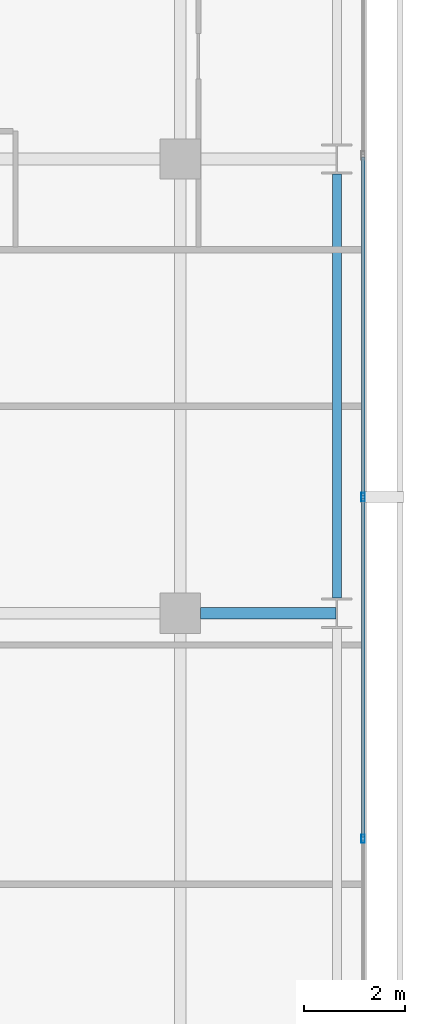
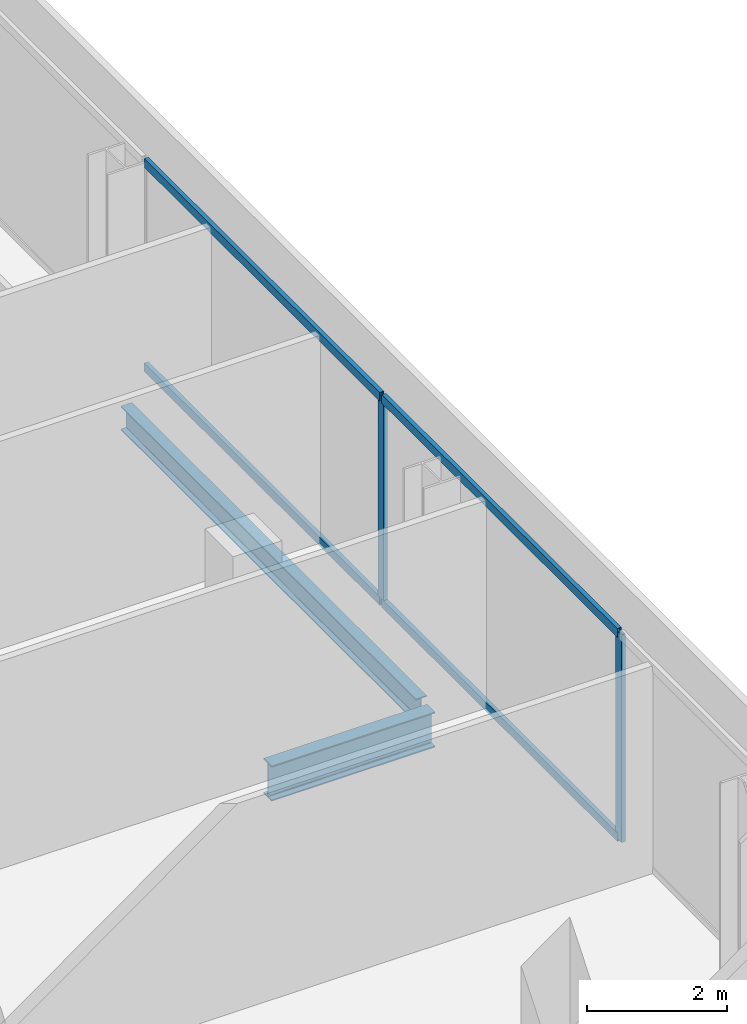
# One storey, part 17 of 33: 6 members, 2 beams, 1 element without a shape of its own.
"""IFC4 building model written with IfcOpenShell, lengths in metres."""

import ifcopenshell
import ifcopenshell.guid

model = None  # the IFC model being written
_history = None  # IfcOwnerHistory: only IFC2X3 demands one
_inside = {}  # id of a spatial element -> (the spatial element, [elements in it])
_under = {}  # id of a project, library or spatial element -> (it, [spatial elements below it])
_declared = {}  # id of a project -> (the project, [libraries it declares])
_typed = {}  # id of a type object -> (the type object, [elements of that type])
_made_of = {}  # id of a material, layer set ... -> (it, [elements and type objects made of it])


def new_model(schema):
    """Start an empty IFC model of exactly this schema.

    Asked for "IFC4X3", IfcOpenShell would pick the latest addendum, in which some entities
    have other attributes; the version numbers below select the first issue.
    IFC2X3 requires an IfcOwnerHistory on every rooted entity: one is made here for all.
    """
    global model, _history
    if schema == "IFC4X3":
        model = ifcopenshell.file(schema_version=(4, 3, 0, 0))
    else:
        model = ifcopenshell.file(schema=schema)
    _inside.clear()
    _under.clear()
    _declared.clear()
    _typed.clear()
    _made_of.clear()
    _history = None
    if model.schema == "IFC2X3":
        org = make("IfcOrganization", Name="unknown")
        user = make(
            "IfcPersonAndOrganization",
            ThePerson=make("IfcPerson", FamilyName="unknown"),
            TheOrganization=org,
        )
        app = make(
            "IfcApplication",
            ApplicationDeveloper=org,
            Version="unknown",
            ApplicationFullName="unknown",
            ApplicationIdentifier="unknown",
        )
        _history = make(
            "IfcOwnerHistory",
            OwningUser=user,
            OwningApplication=app,
            ChangeAction="ADDED",
            CreationDate=0,
        )
    return model


def make(cls, **values):
    """One entity of the class cls with the attributes given. An attribute that is None is left unset."""
    return model.create_entity(
        cls, **{name: value for name, value in values.items() if value is not None}
    )


def rooted(cls, **values):
    """An entity with a GlobalId (a new one), such as an element, a storey or a relation."""
    return make(cls, GlobalId=ifcopenshell.guid.new(), OwnerHistory=_history, **values)


def si_unit(unit_type, name, prefix=None):
    """IfcSIUnit, for example si_unit("LENGTHUNIT", "METRE", prefix="MILLI")."""
    return make("IfcSIUnit", UnitType=unit_type, Prefix=prefix, Name=name)


def assignment(units):
    """IfcUnitAssignment: the units of a project."""
    return None if units is None else make("IfcUnitAssignment", Units=units)


def point(xyz):
    """IfcCartesianPoint."""
    return None if xyz is None else make("IfcCartesianPoint", Coordinates=xyz)


def direction(xyz):
    """IfcDirection."""
    return None if xyz is None else make("IfcDirection", DirectionRatios=xyz)


def frame(location, z_axis=None, x_axis=None):
    """IfcAxis2Placement3D, a coordinate frame: its origin and axes. An axis left out is left unset."""
    return make(
        "IfcAxis2Placement3D",
        Location=point(location),
        Axis=direction(z_axis),
        RefDirection=direction(x_axis),
    )


def frame_2d(location, x_axis=None):
    """IfcAxis2Placement2D, a coordinate frame in the plane: its origin and x axis."""
    return make(
        "IfcAxis2Placement2D", Location=point(location), RefDirection=direction(x_axis)
    )


def origin():
    """The frame at (0, 0, 0) with its axes left unset."""
    return frame((0.0, 0.0, 0.0))


def origin_2d():
    """The frame at (0, 0) in the plane with its x axis left unset."""
    return frame_2d((0.0, 0.0))


def place(relative_to, where):
    """IfcLocalPlacement: puts the frame where relative to a parent placement (None: the world)."""
    return make(
        "IfcLocalPlacement", PlacementRelTo=relative_to, RelativePlacement=where
    )


def context(
    kind, dimensions, precision=None, world=None, true_north=None, identifier=None
):
    """IfcGeometricRepresentationContext, for example the 3D "Model" context."""
    return make(
        "IfcGeometricRepresentationContext",
        ContextIdentifier=identifier,
        ContextType=kind,
        CoordinateSpaceDimension=dimensions,
        Precision=precision,
        WorldCoordinateSystem=world,
        TrueNorth=true_north,
    )


def subcontext(parent, identifier, kind, view, scale=None):
    """IfcGeometricRepresentationSubContext, for example "Body" below "Model"."""
    return make(
        "IfcGeometricRepresentationSubContext",
        ContextIdentifier=identifier,
        ContextType=kind,
        ParentContext=parent,
        TargetScale=scale,
        TargetView=view,
    )


def project(units=None, contexts=None):
    """IfcProject with its units and contexts."""
    return rooted(
        "IfcProject",
        Name="project",
        RepresentationContexts=contexts,
        UnitsInContext=assignment(units),
    )


def spatial(cls, under=None, at=None, **own):
    """A site, building, storey or space (cls), placed at a placement, below another one or the project."""
    s = rooted(cls, ObjectPlacement=at, **own)
    if under is not None:
        _under.setdefault(under.id(), (under, []))[1].append(s)
    return s


def profile(cls, at=None, kind="AREA", **sizes):
    """A parametric profile (cls). Its sizes go by their IFC names, for example OverallWidth=200.0."""
    return make(cls, ProfileType=kind, Position=at, **sizes)


def hollow_rectangle(**sizes):
    """IfcRectangleHollowProfileDef."""
    return profile("IfcRectangleHollowProfileDef", **sizes)


def i_section(**sizes):
    """IfcIShapeProfileDef."""
    return profile("IfcIShapeProfileDef", **sizes)


def extrude(swept, where, along, depth):
    """IfcExtrudedAreaSolid: the profile swept, set in the frame where, extruded along a direction by depth."""
    return make(
        "IfcExtrudedAreaSolid",
        SweptArea=swept,
        Position=where,
        ExtrudedDirection=direction(along),
        Depth=depth,
    )


def shape(context_of_items, identifier, shape_type, items):
    """IfcShapeRepresentation: the items that make up one representation, for example the "Body"."""
    return make(
        "IfcShapeRepresentation",
        ContextOfItems=context_of_items,
        RepresentationIdentifier=identifier,
        RepresentationType=shape_type,
        Items=items,
    )


def material(Name=None, Category=None):
    """IfcMaterial."""
    return make("IfcMaterial", Name=Name, Category=Category)


def layer(
    of_material, thickness, ventilated=None, Name=None, Category=None, Priority=None
):
    """IfcMaterialLayer: one layer of a wall or slab, of a material (None: an air gap)."""
    return make(
        "IfcMaterialLayer",
        Material=of_material,
        LayerThickness=thickness,
        IsVentilated=ventilated,
        Name=Name,
        Category=Category,
        Priority=Priority,
    )


def layer_set(layers, Name=None):
    """IfcMaterialLayerSet."""
    return make("IfcMaterialLayerSet", MaterialLayers=layers, LayerSetName=Name)


def material_profile(
    of_material, cross_section, Name=None, Category=None, Priority=None
):
    """IfcMaterialProfile: a cross section and its material."""
    return make(
        "IfcMaterialProfile",
        Name=Name,
        Material=of_material,
        Profile=cross_section,
        Priority=Priority,
        Category=Category,
    )


def profile_set(profiles, Name=None, composite=None):
    """IfcMaterialProfileSet."""
    return make(
        "IfcMaterialProfileSet",
        Name=Name,
        MaterialProfiles=profiles,
        CompositeProfile=composite,
    )


def made_of(thing, what):
    """Note that an element or type object is made of a material, layer set ...; save() writes the relation."""
    if what is not None:
        _made_of.setdefault(what.id(), (what, []))[1].append(thing)
    return thing


def type_object(cls, material=None, **own):
    """A type object (cls), such as IfcWallType, which elements share."""
    return made_of(rooted(cls, **own), material)


def element(
    cls,
    number,
    at=None,
    inside=None,
    cuts=None,
    type_object=None,
    material=None,
    context=None,
    identifier="Body",
    shape_type=None,
    held_by="IfcProductDefinitionShape",
    body=None,
    shapes=None,
    **own,
):
    """One element of the class cls, such as IfcWall. Its Tag is "e" and its number.

    at: its placement. inside: the storey or other place that contains it. cuts: it is an
    opening in that element (IfcRelVoidsElement). A single representation is given by context,
    identifier, shape_type and body (its items); several are given by shapes. held_by: the class
    of the entity that holds the representations. save() writes the other relations.
    """
    e = rooted(cls, Tag="e%d" % number, ObjectPlacement=at, **own)
    if body is not None:
        shapes = [shape(context, identifier, shape_type, body)]
    if shapes is not None:
        e.Representation = make(held_by, Representations=shapes)
    if inside is not None:
        _inside.setdefault(inside.id(), (inside, []))[1].append(e)
    if cuts is not None:
        rooted(
            "IfcRelVoidsElement", RelatingBuildingElement=cuts, RelatedOpeningElement=e
        )
    if type_object is not None:
        _typed.setdefault(type_object.id(), (type_object, []))[1].append(e)
    return made_of(e, material)


def aggregate(whole, parts):
    """IfcRelAggregates: a whole, such as a stair, and the parts it consists of."""
    return rooted("IfcRelAggregates", RelatingObject=whole, RelatedObjects=parts)


def save(model, path):
    """Write the relations noted so far, then the file.

    IfcRelAggregates (storeys below a building ...), IfcRelContainedInSpatialStructure (elements
    in a storey), IfcRelDefinesByType, IfcRelAssociatesMaterial and IfcRelDeclares: one each for
    every whole, place, type object, material and project.
    """
    for whole, parts in _under.values():
        aggregate(whole, parts)
    for where, things in _inside.values():
        rooted(
            "IfcRelContainedInSpatialStructure",
            RelatedElements=things,
            RelatingStructure=where,
        )
    for kind, things in _typed.values():
        rooted("IfcRelDefinesByType", RelatedObjects=things, RelatingType=kind)
    for what, things in _made_of.values():
        rooted("IfcRelAssociatesMaterial", RelatedObjects=things, RelatingMaterial=what)
    for by, libraries in _declared.values():
        rooted("IfcRelDeclares", RelatingContext=by, RelatedDefinitions=libraries)
    model.write(path)


model = new_model("IFC4")

# Units and contexts
model_context = context("Model", 3, precision=1e-05, world=origin(), true_north=direction((0.0, 1.0)))
body_context = subcontext(model_context, "Body", "Model", "MODEL_VIEW")
ifc_project = project(units=[si_unit("LENGTHUNIT", "METRE"), si_unit("AREAUNIT", "SQUARE_METRE"), si_unit("VOLUMEUNIT", "CUBIC_METRE"), si_unit("PLANEANGLEUNIT", "RADIAN"), si_unit("MASSUNIT", "GRAM", prefix="KILO")], contexts=[model_context])

# Site, building, storey
site_placement = place(None, origin())
site = spatial("IfcSite", under=ifc_project, at=site_placement, CompositionType="ELEMENT")
building_placement = place(site_placement, origin())
building = spatial("IfcBuilding", under=site, at=building_placement, Name="Maruvema Waterfront Hotel and Observation Tower", CompositionType="ELEMENT")
storey_placement = place(building_placement, frame((0.0, 0.0, 138.949951171875)))
storey = spatial("IfcBuildingStorey", under=building, at=storey_placement, Name="L33", CompositionType="ELEMENT", Elevation=138.949951171875)

# Curtain wall, members
ifc_material_1 = material(Name="Anodised bronze aluminium and solar-control low-E IGU", Category="aluminium")
ifc_layer = layer(ifc_material_1, 0.159912109375, Name="Zone 2 Amber Inner Thermal Curtain Wall System CW-03")
ifc_layer_set = layer_set([ifc_layer], Name="Anodised bronze aluminium and solar-control low-E IGU")
curtain_wall_type = type_object("IfcCurtainWallType", Name="Zone 2 Amber Inner Thermal Curtain Wall System CW-03", PredefinedType="USERDEFINED", material=ifc_layer_set)
curtain_wall_placement = place(storey_placement, origin())
curtain_wall = element("IfcCurtainWall", 1, at=curtain_wall_placement, inside=storey, type_object=curtain_wall_type, Name="L33 Curtain Wall CW-L33-E", ObjectType="UNITISED CURTAIN WALL", PredefinedType="USERDEFINED")
ifc_material_2 = material(Name="Anodised architectural bronze aluminium", Category="aluminium")
ifc_material_profile_1 = material_profile(ifc_material_2, hollow_rectangle(XDim=0.070068359375, YDim=0.14990234375, WallThickness=0.00390625, at=origin_2d()), Name="ALU-T70x150")
ifc_profile_set_1 = profile_set([ifc_material_profile_1], Name="Anodised architectural bronze aluminium")
member_type_1 = type_object("IfcMemberType", Name="Curtain Wall Horizontal Transom ALU-T70x150", PredefinedType="USERDEFINED", material=ifc_profile_set_1)
member_1_placement = place(storey_placement, frame((62.419921875, 22.563232421875, 0.030029296875), z_axis=(0.0, 1.0, 0.0), x_axis=(-1.0, 0.0, 0.0)))
member_1 = element("IfcMember", 2, at=member_1_placement, type_object=member_type_1, Name="CW-03 transom 3.1", ObjectType="TRANSOM", PredefinedType="USERDEFINED", context=body_context, shape_type="SweptSolid", body=[
    extrude(hollow_rectangle(XDim=0.070068359375, YDim=0.14990234375, WallThickness=0.00390625, at=origin_2d()), origin(), (0.0, 0.0, 1.0), 6.706787109375),
])
member_2_placement = place(storey_placement, frame((62.419921875, 22.563232421875, 3.580078125), z_axis=(0.0, 1.0, 0.0), x_axis=(-1.0, 0.0, 0.0)))
member_2 = element("IfcMember", 3, at=member_2_placement, type_object=member_type_1, Name="CW-03 transom 3.2", ObjectType="TRANSOM", PredefinedType="USERDEFINED", context=body_context, shape_type="SweptSolid", body=[
    extrude(hollow_rectangle(XDim=0.070068359375, YDim=0.14990234375, WallThickness=0.00390625, at=origin_2d()), origin(), (0.0, 0.0, 1.0), 6.706787109375),
])
member_3_placement = place(storey_placement, frame((62.419921875, 29.330078125, 0.030029296875), z_axis=(0.0, 1.0, 0.0), x_axis=(-1.0, 0.0, 0.0)))
member_3 = element("IfcMember", 4, at=member_3_placement, type_object=member_type_1, Name="CW-03 transom 4.1", ObjectType="TRANSOM", PredefinedType="USERDEFINED", context=body_context, shape_type="SweptSolid", body=[
    extrude(hollow_rectangle(XDim=0.070068359375, YDim=0.14990234375, WallThickness=0.00390625, at=origin_2d()), origin(), (0.0, 0.0, 1.0), 6.70654296875),
])
member_4_placement = place(storey_placement, frame((62.419921875, 29.330078125, 3.580078125), z_axis=(0.0, 1.0, 0.0), x_axis=(-1.0, 0.0, 0.0)))
member_4 = element("IfcMember", 5, at=member_4_placement, type_object=member_type_1, Name="CW-03 transom 4.2", ObjectType="TRANSOM", PredefinedType="USERDEFINED", context=body_context, shape_type="SweptSolid", body=[
    extrude(hollow_rectangle(XDim=0.070068359375, YDim=0.14990234375, WallThickness=0.00390625, at=origin_2d()), origin(), (0.0, 0.0, 1.0), 6.70654296875),
])
ifc_material_3 = material(Name="Anodised architectural bronze aluminium", Category="aluminium")
ifc_material_profile_2 = material_profile(ifc_material_3, hollow_rectangle(XDim=0.06494140625, YDim=0.1650390625, WallThickness=0.00390625, at=origin_2d()), Name="ALU-M65x165")
ifc_profile_set_2 = profile_set([ifc_material_profile_2], Name="Anodised architectural bronze aluminium")
member_type_2 = type_object("IfcMemberType", Name="Curtain Wall Primary Mullion ALU-M65x165", PredefinedType="MULLION", material=ifc_profile_set_2)
member_5_placement = place(storey_placement, frame((62.419921875, 22.533447265625, 0.0), z_axis=(0.0, 0.0, 1.0), x_axis=(-1.0, 0.0, 0.0)))
member_5 = element("IfcMember", 6, at=member_5_placement, type_object=member_type_2, Name="CW-03 mullion 3", PredefinedType="MULLION", context=body_context, shape_type="SweptSolid", body=[
    extrude(hollow_rectangle(XDim=0.06494140625, YDim=0.1650390625, WallThickness=0.00390625, at=origin_2d()), origin(), (0.0, 0.0, 1.0), 3.610107421875),
])
member_6_placement = place(storey_placement, frame((62.419921875, 29.300048828125, 0.0), z_axis=(0.0, 0.0, 1.0), x_axis=(-1.0, 0.0, 0.0)))
member_6 = element("IfcMember", 7, at=member_6_placement, type_object=member_type_2, Name="CW-03 mullion 4", PredefinedType="MULLION", context=body_context, shape_type="SweptSolid", body=[
    extrude(hollow_rectangle(XDim=0.06494140625, YDim=0.1650390625, WallThickness=0.00390625, at=origin_2d()), origin(), (0.0, 0.0, 1.0), 3.610107421875),
])
aggregate(curtain_wall, [member_5, member_6, member_1, member_2, member_3, member_4])

# Beams
ifc_material_4 = material(Name="Steel ASTM A572 Grade 50", Category="steel")
ifc_material_profile_3 = material_profile(ifc_material_4, i_section(OverallWidth=0.180908203125, OverallDepth=0.4169921875, WebThickness=0.010986328125, FlangeThickness=0.018310546875, FilletRadius=0.014892578125, at=origin_2d()), Name="W410x85.0")
ifc_profile_set_3 = profile_set([ifc_material_profile_3], Name="Steel ASTM A572 Grade 50")
beam_type_1 = type_object("IfcBeamType", Name="Perimeter Spandrel Beam W410x85.0", PredefinedType="SPANDREL", material=ifc_profile_set_3)
beam_1_placement = place(storey_placement, frame((61.89990234375, 27.300048828125, -0.448486328125), z_axis=(0.0, 1.0, 0.0), x_axis=(-1.0, 0.0, 0.0)))
element("IfcBeam", 8, at=beam_1_placement, inside=storey, type_object=beam_type_1, Name="L33 Floor Girder NS-31", PredefinedType="SPANDREL", context=body_context, shape_type="SweptSolid", body=[
    extrude(i_section(OverallWidth=0.180908203125, OverallDepth=0.4169921875, WebThickness=0.010986328125, FlangeThickness=0.018310546875, FilletRadius=0.014892578125, at=origin_2d()), origin(), (0.0, 0.0, 1.0), 8.39990234375),
])
ifc_material_5 = material(Name="Steel ASTM A572 Grade 50", Category="steel")
ifc_material_profile_4 = material_profile(ifc_material_5, i_section(OverallWidth=0.22900390625, OverallDepth=0.612060546875, WebThickness=0.011962890625, FlangeThickness=0.01953125, FilletRadius=0.01806640625, at=origin_2d()), Name="W610x125.0")
ifc_profile_set_4 = profile_set([ifc_material_profile_4], Name="Steel ASTM A572 Grade 50")
beam_type_2 = type_object("IfcBeamType", Name="Primary Floor Girder W610x125.0", PredefinedType="BEAM", material=ifc_profile_set_4)
beam_2_placement = place(storey_placement, frame((59.199951171875, 27.0, -0.5458984375), z_axis=(1.0, 0.0, 0.0), x_axis=(0.0, 1.0, 0.0)))
element("IfcBeam", 9, at=beam_2_placement, inside=storey, type_object=beam_type_2, Name="L33 Floor Girder EW-22", PredefinedType="BEAM", context=body_context, shape_type="SweptSolid", body=[
    extrude(i_section(OverallWidth=0.22900390625, OverallDepth=0.612060546875, WebThickness=0.011962890625, FlangeThickness=0.01953125, FilletRadius=0.01806640625, at=origin_2d()), origin(), (0.0, 0.0, 1.0), 2.6875),
])

save(model, "model.ifc")
